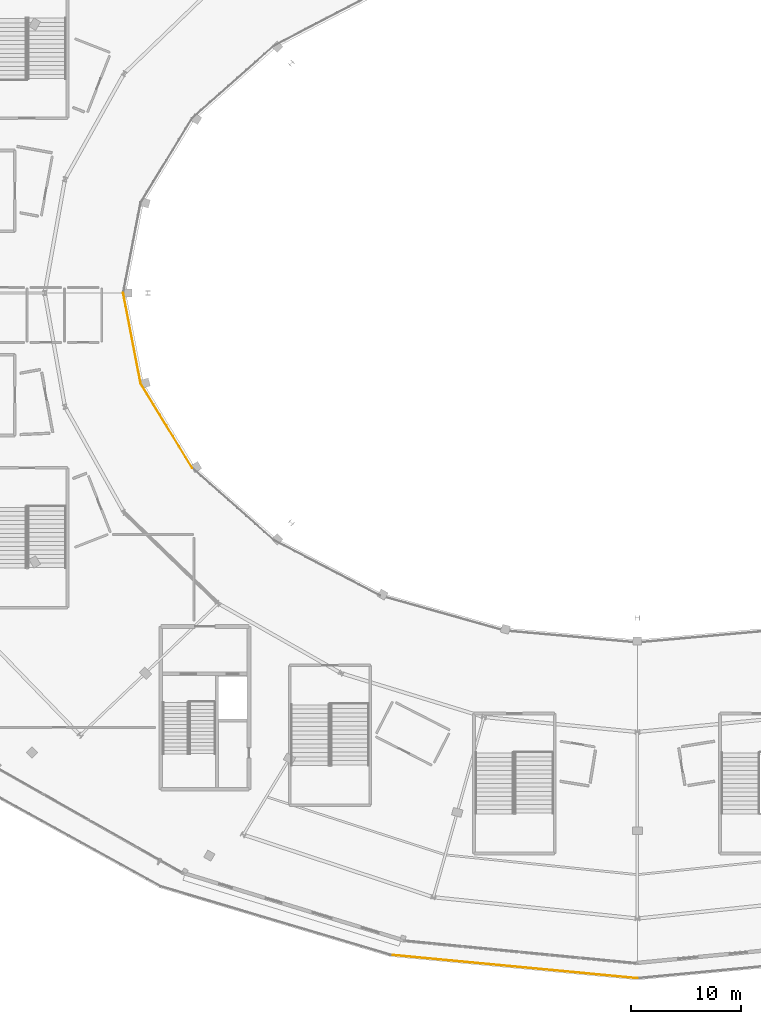
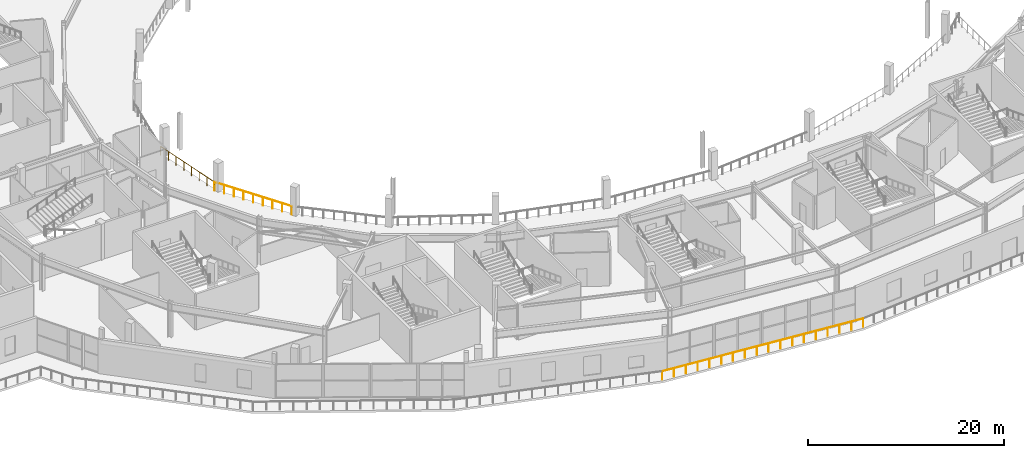
# One storey, part 105 of 123: 3 railings.
"""IFC4 building model written with IfcOpenShell, lengths in metres."""

from ifc_helpers import new_model, si_unit, direction, frame, origin, origin_2d, place, context, subcontext, project, spatial, circle, extrude, material, type_object, element, save


model = new_model("IFC4")

# Units and contexts
model_context = context("Model", 3, precision=1e-05, world=origin(), true_north=direction((0.0, 1.0)))
body_context = subcontext(model_context, "Body", "Model", "MODEL_VIEW")
ifc_project = project(units=[si_unit("LENGTHUNIT", "METRE"), si_unit("AREAUNIT", "SQUARE_METRE"), si_unit("VOLUMEUNIT", "CUBIC_METRE"), si_unit("PLANEANGLEUNIT", "RADIAN"), si_unit("MASSUNIT", "GRAM", prefix="KILO")], contexts=[model_context])

# Site, building, storey
site_placement = place(None, origin())
site = spatial("IfcSite", under=ifc_project, at=site_placement, CompositionType="ELEMENT")
building_placement = place(site_placement, origin())
building = spatial("IfcBuilding", under=site, at=building_placement, Name="Kalgoora Escarpment Arena", CompositionType="ELEMENT")
storey_placement = place(building_placement, frame((0.0, 0.0, 9.89990234375)))
storey = spatial("IfcBuildingStorey", under=building, at=storey_placement, Name="L02", CompositionType="ELEMENT", Elevation=9.89990234375)

# Railings
ifc_material_1 = material(Name="Galvanised & powdercoated tubular steel", Category="steel")
railing_type_1 = type_object("IfcRailingType", Name="RAL-GUARD-1120", PredefinedType="GUARDRAIL", material=ifc_material_1)
railing_1_placement = place(storey_placement, frame((45.550048828125, 64.0, 0.0)))
element("IfcRailing", 1, at=railing_1_placement, inside=storey, type_object=railing_type_1, Name="L02 concourse bowl balustrade 13", PredefinedType="GUARDRAIL", context=body_context, shape_type="SweptSolid", body=[
    extrude(circle(Radius=0.02392578125, at=origin_2d()), frame((0.0, 0.0, 1.09619140625), z_axis=(0.190129490405, -0.981759021796, 0.0), x_axis=(0.981759021796, 0.190129490405, 0.0)), (0.0, 0.0, 1.0), 8.396484375),
    extrude(circle(Radius=0.02099609375, at=origin_2d()), origin(), (0.0, 0.0, 1.0), 1.072021484375),
    extrude(circle(Radius=0.02099609375, at=origin_2d()), frame((0.22802734375, -1.177734375, 0.0)), (0.0, 0.0, 1.0), 1.072021484375),
    extrude(circle(Radius=0.02099609375, at=origin_2d()), frame((0.4560546875, -2.355224609375, 0.0)), (0.0, 0.0, 1.0), 1.072021484375),
    extrude(circle(Radius=0.02099609375, at=origin_2d()), frame((0.68408203125, -3.532958984375, 0.0)), (0.0, 0.0, 1.0), 1.072021484375),
    extrude(circle(Radius=0.02099609375, at=origin_2d()), frame((0.912353515625, -4.71044921875, 0.0)), (0.0, 0.0, 1.0), 1.072021484375),
    extrude(circle(Radius=0.02099609375, at=origin_2d()), frame((1.140380859375, -5.88818359375, 0.0)), (0.0, 0.0, 1.0), 1.072021484375),
    extrude(circle(Radius=0.02099609375, at=origin_2d()), frame((1.368408203125, -7.065673828125, 0.0)), (0.0, 0.0, 1.0), 1.072021484375),
    extrude(circle(Radius=0.02099609375, at=origin_2d()), frame((1.596435546875, -8.243408203125, 0.0)), (0.0, 0.0, 1.0), 1.072021484375),
])
railing_2_placement = place(storey_placement, frame((47.146484375, 55.756591796875, 0.0)))
element("IfcRailing", 2, at=railing_2_placement, inside=storey, type_object=railing_type_1, Name="L02 concourse bowl balustrade 14", PredefinedType="GUARDRAIL", context=body_context, shape_type="SweptSolid", body=[
    extrude(circle(Radius=0.02392578125, at=origin_2d()), frame((0.0, 0.0, 1.09619140625), z_axis=(0.520303373026, -0.853981498639, 0.0), x_axis=(0.853981498639, 0.520303373026, 0.0)), (0.0, 0.0, 1.0), 8.9951171875),
    extrude(circle(Radius=0.02099609375, at=origin_2d()), origin(), (0.0, 0.0, 1.0), 1.072021484375),
    extrude(circle(Radius=0.02099609375, at=origin_2d()), frame((0.5849609375, -0.960205078125, 0.0)), (0.0, 0.0, 1.0), 1.072021484375),
    extrude(circle(Radius=0.02099609375, at=origin_2d()), frame((1.169921875, -1.92041015625, 0.0)), (0.0, 0.0, 1.0), 1.072021484375),
    extrude(circle(Radius=0.02099609375, at=origin_2d()), frame((1.755126953125, -2.880615234375, 0.0)), (0.0, 0.0, 1.0), 1.072021484375),
    extrude(circle(Radius=0.02099609375, at=origin_2d()), frame((2.340087890625, -3.8408203125, 0.0)), (0.0, 0.0, 1.0), 1.072021484375),
    extrude(circle(Radius=0.02099609375, at=origin_2d()), frame((2.925048828125, -4.801025390625, 0.0)), (0.0, 0.0, 1.0), 1.072021484375),
    extrude(circle(Radius=0.02099609375, at=origin_2d()), frame((3.51025390625, -5.76123046875, 0.0)), (0.0, 0.0, 1.0), 1.072021484375),
    extrude(circle(Radius=0.02099609375, at=origin_2d()), frame((4.09521484375, -6.721435546875, 0.0)), (0.0, 0.0, 1.0), 1.072021484375),
    extrude(circle(Radius=0.02099609375, at=origin_2d()), frame((4.68017578125, -7.681640625, 0.0)), (0.0, 0.0, 1.0), 1.072021484375),
])
ifc_material_2 = material(Name="Champagne anodised aluminium & laminated glass", Category="aluminium")
railing_type_2 = type_object("IfcRailingType", Name="RAL-TERR-1100", PredefinedType="GUARDRAIL", material=ifc_material_2)
railing_3_placement = place(storey_placement, frame((92.39990234375, 1.560791015625, 0.0)))
element("IfcRailing", 3, at=railing_3_placement, inside=storey, type_object=railing_type_2, Name="Middle Planted Elliptical Garden Promenade perimeter guardrail 024", PredefinedType="GUARDRAIL", context=body_context, shape_type="SweptSolid", body=[
    extrude(circle(Radius=0.02392578125, at=origin_2d()), frame((0.0, 0.0, 1.09619140625), z_axis=(-0.995543195936, 0.094306654194, 0.0), x_axis=(-0.094306654194, -0.995543195936, 0.0)), (0.0, 0.0, 1.0), 22.587158203125),
    extrude(circle(Radius=0.02099609375, at=origin_2d()), origin(), (0.0, 0.0, 1.0), 1.072021484375),
    extrude(circle(Radius=0.02099609375, at=origin_2d()), frame((-1.32275390625, 0.125244140625, 0.0)), (0.0, 0.0, 1.0), 1.072021484375),
    extrude(circle(Radius=0.02099609375, at=origin_2d()), frame((-2.6455078125, 0.25048828125, 0.0)), (0.0, 0.0, 1.0), 1.072021484375),
    extrude(circle(Radius=0.02099609375, at=origin_2d()), frame((-3.96826171875, 0.3759765625, 0.0)), (0.0, 0.0, 1.0), 1.072021484375),
    extrude(circle(Radius=0.02099609375, at=origin_2d()), frame((-5.291015625, 0.501220703125, 0.0)), (0.0, 0.0, 1.0), 1.072021484375),
    extrude(circle(Radius=0.02099609375, at=origin_2d()), frame((-6.61376953125, 0.62646484375, 0.0)), (0.0, 0.0, 1.0), 1.072021484375),
    extrude(circle(Radius=0.02099609375, at=origin_2d()), frame((-7.9365234375, 0.751708984375, 0.0)), (0.0, 0.0, 1.0), 1.072021484375),
    extrude(circle(Radius=0.02099609375, at=origin_2d()), frame((-9.25927734375, 0.877197265625, 0.0)), (0.0, 0.0, 1.0), 1.072021484375),
    extrude(circle(Radius=0.02099609375, at=origin_2d()), frame((-10.58203125, 1.00244140625, 0.0)), (0.0, 0.0, 1.0), 1.072021484375),
    extrude(circle(Radius=0.02099609375, at=origin_2d()), frame((-11.904541015625, 1.127685546875, 0.0)), (0.0, 0.0, 1.0), 1.072021484375),
    extrude(circle(Radius=0.02099609375, at=origin_2d()), frame((-13.227294921875, 1.2529296875, 0.0)), (0.0, 0.0, 1.0), 1.072021484375),
    extrude(circle(Radius=0.02099609375, at=origin_2d()), frame((-14.550048828125, 1.37841796875, 0.0)), (0.0, 0.0, 1.0), 1.072021484375),
    extrude(circle(Radius=0.02099609375, at=origin_2d()), frame((-15.872802734375, 1.503662109375, 0.0)), (0.0, 0.0, 1.0), 1.072021484375),
    extrude(circle(Radius=0.02099609375, at=origin_2d()), frame((-17.195556640625, 1.62890625, 0.0)), (0.0, 0.0, 1.0), 1.072021484375),
    extrude(circle(Radius=0.02099609375, at=origin_2d()), frame((-18.518310546875, 1.754150390625, 0.0)), (0.0, 0.0, 1.0), 1.072021484375),
    extrude(circle(Radius=0.02099609375, at=origin_2d()), frame((-19.841064453125, 1.879638671875, 0.0)), (0.0, 0.0, 1.0), 1.072021484375),
    extrude(circle(Radius=0.02099609375, at=origin_2d()), frame((-21.163818359375, 2.0048828125, 0.0)), (0.0, 0.0, 1.0), 1.072021484375),
    extrude(circle(Radius=0.02099609375, at=origin_2d()), frame((-22.486572265625, 2.130126953125, 0.0)), (0.0, 0.0, 1.0), 1.072021484375),
])

save(model, "model.ifc")
